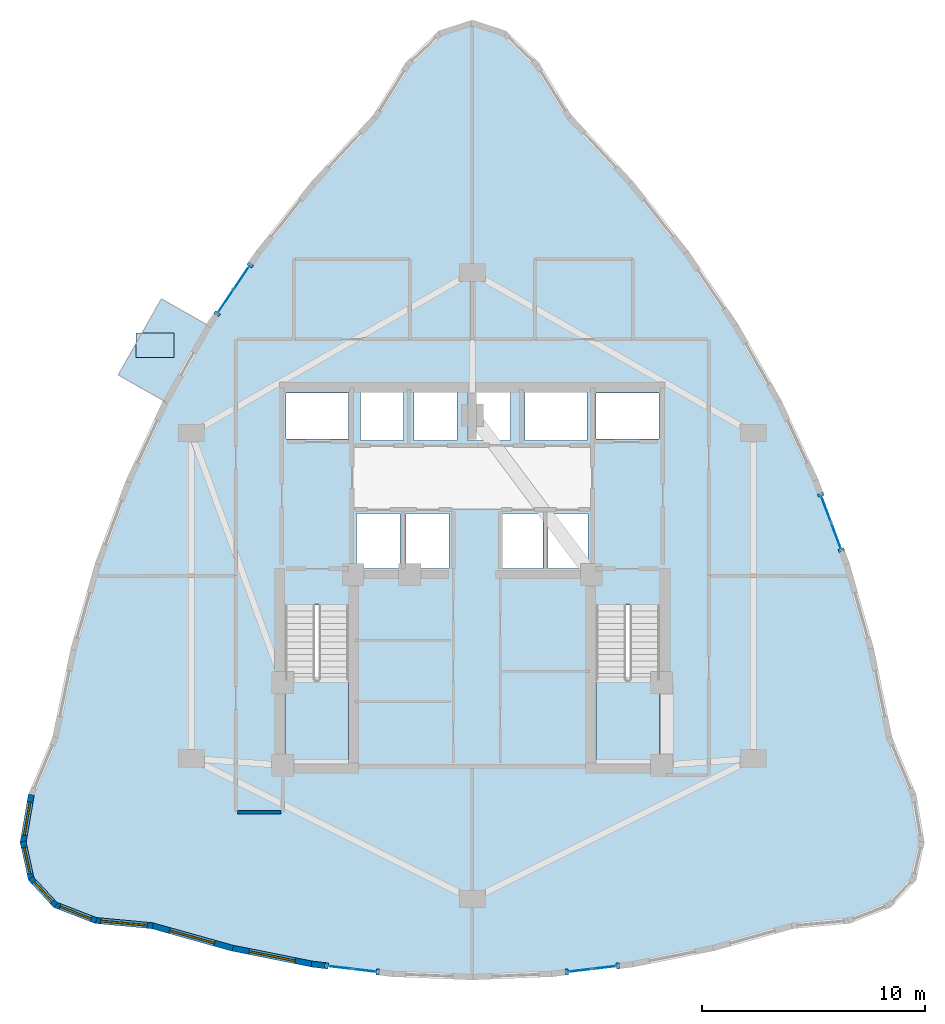
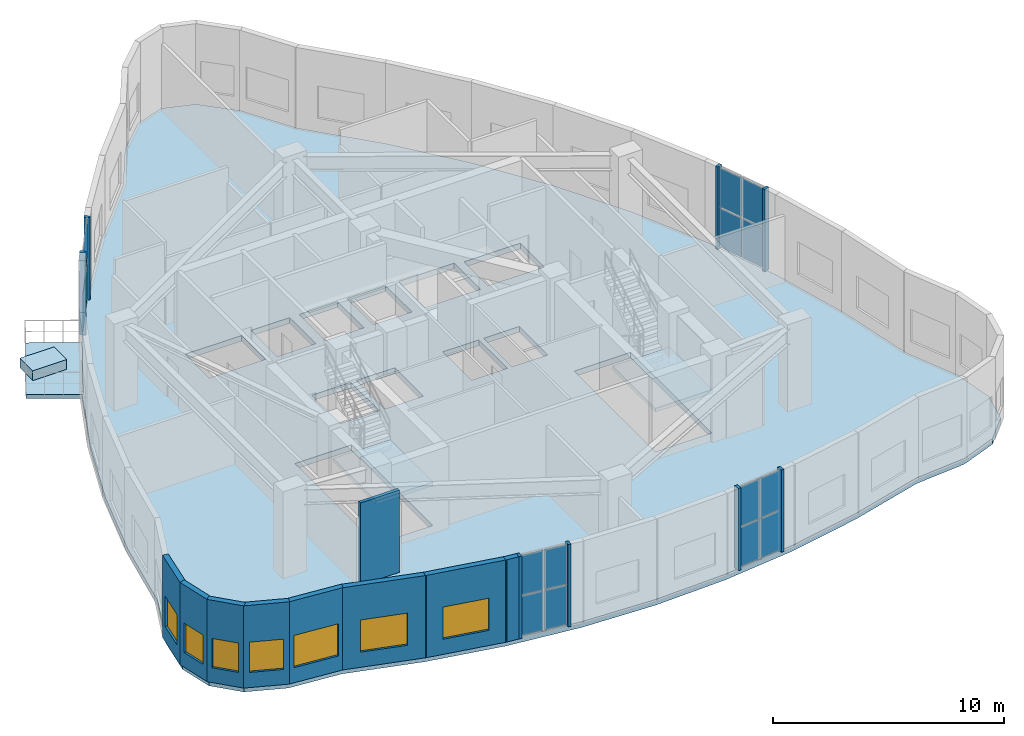
# One storey, part 9 of 14: 24 plates, 9 walls, 7 windows, 5 slabs, 7 openings, 6 elements without a shape of their own.
"""IFC4 building model written with IfcOpenShell, lengths in metres."""

import ifcopenshell
import ifcopenshell.guid

model = None  # the IFC model being written
_history = None  # IfcOwnerHistory: only IFC2X3 demands one
_inside = {}  # id of a spatial element -> (the spatial element, [elements in it])
_under = {}  # id of a project, library or spatial element -> (it, [spatial elements below it])
_declared = {}  # id of a project -> (the project, [libraries it declares])
_typed = {}  # id of a type object -> (the type object, [elements of that type])
_made_of = {}  # id of a material, layer set ... -> (it, [elements and type objects made of it])


def new_model(schema):
    """Start an empty IFC model of exactly this schema.

    Asked for "IFC4X3", IfcOpenShell would pick the latest addendum, in which some entities
    have other attributes; the version numbers below select the first issue.
    IFC2X3 requires an IfcOwnerHistory on every rooted entity: one is made here for all.
    """
    global model, _history
    if schema == "IFC4X3":
        model = ifcopenshell.file(schema_version=(4, 3, 0, 0))
    else:
        model = ifcopenshell.file(schema=schema)
    _inside.clear()
    _under.clear()
    _declared.clear()
    _typed.clear()
    _made_of.clear()
    _history = None
    if model.schema == "IFC2X3":
        org = make("IfcOrganization", Name="unknown")
        user = make(
            "IfcPersonAndOrganization",
            ThePerson=make("IfcPerson", FamilyName="unknown"),
            TheOrganization=org,
        )
        app = make(
            "IfcApplication",
            ApplicationDeveloper=org,
            Version="unknown",
            ApplicationFullName="unknown",
            ApplicationIdentifier="unknown",
        )
        _history = make(
            "IfcOwnerHistory",
            OwningUser=user,
            OwningApplication=app,
            ChangeAction="ADDED",
            CreationDate=0,
        )
    return model


def make(cls, **values):
    """One entity of the class cls with the attributes given. An attribute that is None is left unset."""
    return model.create_entity(
        cls, **{name: value for name, value in values.items() if value is not None}
    )


def rooted(cls, **values):
    """An entity with a GlobalId (a new one), such as an element, a storey or a relation."""
    return make(cls, GlobalId=ifcopenshell.guid.new(), OwnerHistory=_history, **values)


def si_unit(unit_type, name, prefix=None):
    """IfcSIUnit, for example si_unit("LENGTHUNIT", "METRE", prefix="MILLI")."""
    return make("IfcSIUnit", UnitType=unit_type, Prefix=prefix, Name=name)


def assignment(units):
    """IfcUnitAssignment: the units of a project."""
    return None if units is None else make("IfcUnitAssignment", Units=units)


def point(xyz):
    """IfcCartesianPoint."""
    return None if xyz is None else make("IfcCartesianPoint", Coordinates=xyz)


def direction(xyz):
    """IfcDirection."""
    return None if xyz is None else make("IfcDirection", DirectionRatios=xyz)


def frame(location, z_axis=None, x_axis=None):
    """IfcAxis2Placement3D, a coordinate frame: its origin and axes. An axis left out is left unset."""
    return make(
        "IfcAxis2Placement3D",
        Location=point(location),
        Axis=direction(z_axis),
        RefDirection=direction(x_axis),
    )


def frame_2d(location, x_axis=None):
    """IfcAxis2Placement2D, a coordinate frame in the plane: its origin and x axis."""
    return make(
        "IfcAxis2Placement2D", Location=point(location), RefDirection=direction(x_axis)
    )


def origin():
    """The frame at (0, 0, 0) with its axes left unset."""
    return frame((0.0, 0.0, 0.0))


def origin_2d():
    """The frame at (0, 0) in the plane with its x axis left unset."""
    return frame_2d((0.0, 0.0))


def place(relative_to, where):
    """IfcLocalPlacement: puts the frame where relative to a parent placement (None: the world)."""
    return make(
        "IfcLocalPlacement", PlacementRelTo=relative_to, RelativePlacement=where
    )


def context(
    kind, dimensions, precision=None, world=None, true_north=None, identifier=None
):
    """IfcGeometricRepresentationContext, for example the 3D "Model" context."""
    return make(
        "IfcGeometricRepresentationContext",
        ContextIdentifier=identifier,
        ContextType=kind,
        CoordinateSpaceDimension=dimensions,
        Precision=precision,
        WorldCoordinateSystem=world,
        TrueNorth=true_north,
    )


def subcontext(parent, identifier, kind, view, scale=None):
    """IfcGeometricRepresentationSubContext, for example "Body" below "Model"."""
    return make(
        "IfcGeometricRepresentationSubContext",
        ContextIdentifier=identifier,
        ContextType=kind,
        ParentContext=parent,
        TargetScale=scale,
        TargetView=view,
    )


def project(units=None, contexts=None):
    """IfcProject with its units and contexts."""
    return rooted(
        "IfcProject",
        Name="project",
        RepresentationContexts=contexts,
        UnitsInContext=assignment(units),
    )


def spatial(cls, under=None, at=None, **own):
    """A site, building, storey or space (cls), placed at a placement, below another one or the project."""
    s = rooted(cls, ObjectPlacement=at, **own)
    if under is not None:
        _under.setdefault(under.id(), (under, []))[1].append(s)
    return s


def polyline(points):
    """IfcPolyline through the points."""
    return make("IfcPolyline", Points=[point(p) for p in points])


def profile(cls, at=None, kind="AREA", **sizes):
    """A parametric profile (cls). Its sizes go by their IFC names, for example OverallWidth=200.0."""
    return make(cls, ProfileType=kind, Position=at, **sizes)


def rectangle(**sizes):
    """IfcRectangleProfileDef."""
    return profile("IfcRectangleProfileDef", **sizes)


def outline(outer, holes=None, kind="AREA"):
    """IfcArbitraryClosedProfileDef: a profile drawn as a closed curve; with holes, ...WithVoids."""
    if holes is None:
        return make("IfcArbitraryClosedProfileDef", ProfileType=kind, OuterCurve=outer)
    return make(
        "IfcArbitraryProfileDefWithVoids",
        ProfileType=kind,
        OuterCurve=outer,
        InnerCurves=holes,
    )


def extrude(swept, where, along, depth):
    """IfcExtrudedAreaSolid: the profile swept, set in the frame where, extruded along a direction by depth."""
    return make(
        "IfcExtrudedAreaSolid",
        SweptArea=swept,
        Position=where,
        ExtrudedDirection=direction(along),
        Depth=depth,
    )


def shape(context_of_items, identifier, shape_type, items):
    """IfcShapeRepresentation: the items that make up one representation, for example the "Body"."""
    return make(
        "IfcShapeRepresentation",
        ContextOfItems=context_of_items,
        RepresentationIdentifier=identifier,
        RepresentationType=shape_type,
        Items=items,
    )


def material(Name=None, Category=None):
    """IfcMaterial."""
    return make("IfcMaterial", Name=Name, Category=Category)


def layer(
    of_material, thickness, ventilated=None, Name=None, Category=None, Priority=None
):
    """IfcMaterialLayer: one layer of a wall or slab, of a material (None: an air gap)."""
    return make(
        "IfcMaterialLayer",
        Material=of_material,
        LayerThickness=thickness,
        IsVentilated=ventilated,
        Name=Name,
        Category=Category,
        Priority=Priority,
    )


def layer_set(layers, Name=None):
    """IfcMaterialLayerSet."""
    return make("IfcMaterialLayerSet", MaterialLayers=layers, LayerSetName=Name)


def made_of(thing, what):
    """Note that an element or type object is made of a material, layer set ...; save() writes the relation."""
    if what is not None:
        _made_of.setdefault(what.id(), (what, []))[1].append(thing)
    return thing


def type_object(cls, material=None, **own):
    """A type object (cls), such as IfcWallType, which elements share."""
    return made_of(rooted(cls, **own), material)


def element(
    cls,
    number,
    at=None,
    inside=None,
    cuts=None,
    type_object=None,
    material=None,
    context=None,
    identifier="Body",
    shape_type=None,
    held_by="IfcProductDefinitionShape",
    body=None,
    shapes=None,
    **own,
):
    """One element of the class cls, such as IfcWall. Its Tag is "e" and its number.

    at: its placement. inside: the storey or other place that contains it. cuts: it is an
    opening in that element (IfcRelVoidsElement). A single representation is given by context,
    identifier, shape_type and body (its items); several are given by shapes. held_by: the class
    of the entity that holds the representations. save() writes the other relations.
    """
    e = rooted(cls, Tag="e%d" % number, ObjectPlacement=at, **own)
    if body is not None:
        shapes = [shape(context, identifier, shape_type, body)]
    if shapes is not None:
        e.Representation = make(held_by, Representations=shapes)
    if inside is not None:
        _inside.setdefault(inside.id(), (inside, []))[1].append(e)
    if cuts is not None:
        rooted(
            "IfcRelVoidsElement", RelatingBuildingElement=cuts, RelatedOpeningElement=e
        )
    if type_object is not None:
        _typed.setdefault(type_object.id(), (type_object, []))[1].append(e)
    return made_of(e, material)


def fill(opening, filler):
    """IfcRelFillsElement: the door or window that sits in an opening."""
    return rooted(
        "IfcRelFillsElement",
        RelatingOpeningElement=opening,
        RelatedBuildingElement=filler,
    )


def aggregate(whole, parts):
    """IfcRelAggregates: a whole, such as a stair, and the parts it consists of."""
    return rooted("IfcRelAggregates", RelatingObject=whole, RelatedObjects=parts)


def save(model, path):
    """Write the relations noted so far, then the file.

    IfcRelAggregates (storeys below a building ...), IfcRelContainedInSpatialStructure (elements
    in a storey), IfcRelDefinesByType, IfcRelAssociatesMaterial and IfcRelDeclares: one each for
    every whole, place, type object, material and project.
    """
    for whole, parts in _under.values():
        aggregate(whole, parts)
    for where, things in _inside.values():
        rooted(
            "IfcRelContainedInSpatialStructure",
            RelatedElements=things,
            RelatingStructure=where,
        )
    for kind, things in _typed.values():
        rooted("IfcRelDefinesByType", RelatedObjects=things, RelatingType=kind)
    for what, things in _made_of.values():
        rooted("IfcRelAssociatesMaterial", RelatedObjects=things, RelatingMaterial=what)
    for by, libraries in _declared.values():
        rooted("IfcRelDeclares", RelatingContext=by, RelatedDefinitions=libraries)
    model.write(path)


model = new_model("IFC4")

# Units and contexts
model_context = context("Model", 3, precision=1e-05, world=origin(), true_north=direction((0.0, 1.0)))
body_context = subcontext(model_context, "Body", "Model", "MODEL_VIEW")
ifc_project = project(units=[si_unit("LENGTHUNIT", "METRE"), si_unit("AREAUNIT", "SQUARE_METRE"), si_unit("VOLUMEUNIT", "CUBIC_METRE"), si_unit("PLANEANGLEUNIT", "RADIAN"), si_unit("MASSUNIT", "GRAM", prefix="KILO")], contexts=[model_context])

# Site, building, storey
site_placement = place(None, origin())
site = spatial("IfcSite", under=ifc_project, at=site_placement, CompositionType="ELEMENT")
building_placement = place(site_placement, origin())
building = spatial("IfcBuilding", under=site, at=building_placement, Name="Miruveldt Soraemaru", CompositionType="ELEMENT")
storey_placement = place(building_placement, frame((0.0, 0.0, 189.800048828125)))
storey = spatial("IfcBuildingStorey", under=building, at=storey_placement, Name="L52", CompositionType="ELEMENT", Elevation=189.800048828125)

# Curtain wall, plates
ifc_material_1 = material(Name="Anodised aluminium EN AW-6063 T6", Category="aluminium")
ifc_layer_1 = layer(ifc_material_1, 0.179931640625, Name="Anodised aluminium EN AW-6063 T6", Category="aluminium")
ifc_layer_set_1 = layer_set([ifc_layer_1], Name="Anodised aluminium EN AW-6063 T6")
curtain_wall_type = type_object("IfcCurtainWallType", Name="CW-SYS-4", PredefinedType="USERDEFINED", material=ifc_layer_set_1)
curtain_wall_1_placement = place(storey_placement, origin())
curtain_wall_1 = element("IfcCurtainWall", 1, at=curtain_wall_1_placement, inside=storey, type_object=curtain_wall_type, Name="L52 Curtain Wall Bay 9", ObjectType="UNITISED GLAZING", PredefinedType="USERDEFINED")
ifc_material_2 = material(Name="Triple low-e insulated glazing", Category="glass")
ifc_layer_2 = layer(ifc_material_2, 0.028076171875, Name="Triple low-e insulated glazing", Category="glass")
ifc_layer_set_2 = layer_set([ifc_layer_2], Name="Triple low-e insulated glazing")
plate_type_1 = type_object("IfcPlateType", Name="CWP-4", PredefinedType="CURTAIN_PANEL", material=ifc_layer_set_2)
plate_1_placement = place(storey_placement, frame((33.656005859375, 57.375, 0.06494140625), z_axis=(0.0, 0.0, 1.0), x_axis=(-0.560859844476, -0.827910765031, 0.0)))
plate_1 = element("IfcPlate", 2, at=plate_1_placement, type_object=plate_type_1, Name="CW-4 panel 1.1", PredefinedType="CURTAIN_PANEL", context=body_context, shape_type="SweptSolid", body=[
    extrude(rectangle(XDim=1.2255859375, YDim=0.028076171875, at=origin_2d()), origin(), (0.0, 0.0, 1.0), 2.074951171875),
])
plate_2_placement = place(storey_placement, frame((33.656005859375, 57.375, 2.205078125), z_axis=(0.0, 0.0, 1.0), x_axis=(-0.560859844476, -0.827910765031, 0.0)))
plate_2 = element("IfcPlate", 3, at=plate_2_placement, type_object=plate_type_1, Name="CW-4 panel 1.2", PredefinedType="CURTAIN_PANEL", context=body_context, shape_type="SweptSolid", body=[
    extrude(rectangle(XDim=1.2255859375, YDim=0.028076171875, at=origin_2d()), origin(), (0.0, 0.0, 1.0), 2.074951171875),
])
plate_3_placement = place(storey_placement, frame((32.93212890625, 56.306640625, 0.06494140625), z_axis=(0.0, 0.0, 1.0), x_axis=(-0.560859844476, -0.827910765031, 0.0)))
plate_3 = element("IfcPlate", 4, at=plate_3_placement, type_object=plate_type_1, Name="CW-4 panel 2.1", PredefinedType="CURTAIN_PANEL", context=body_context, shape_type="SweptSolid", body=[
    extrude(rectangle(XDim=1.2255859375, YDim=0.028076171875, at=origin_2d()), origin(), (0.0, 0.0, 1.0), 2.074951171875),
])
plate_4_placement = place(storey_placement, frame((32.93212890625, 56.306640625, 2.205078125), z_axis=(0.0, 0.0, 1.0), x_axis=(-0.560859844476, -0.827910765031, 0.0)))
plate_4 = element("IfcPlate", 5, at=plate_4_placement, type_object=plate_type_1, Name="CW-4 panel 2.2", PredefinedType="CURTAIN_PANEL", context=body_context, shape_type="SweptSolid", body=[
    extrude(rectangle(XDim=1.2255859375, YDim=0.028076171875, at=origin_2d()), origin(), (0.0, 0.0, 1.0), 2.074951171875),
])
aggregate(curtain_wall_1, [plate_1, plate_2, plate_3, plate_4])

curtain_wall_2_placement = place(storey_placement, origin())
curtain_wall_2 = element("IfcCurtainWall", 6, at=curtain_wall_2_placement, inside=storey, type_object=curtain_wall_type, Name="L52 Curtain Wall Bay 23", ObjectType="UNITISED GLAZING", PredefinedType="USERDEFINED")
plate_5_placement = place(storey_placement, frame((38.055908203125, 26.432373046875, 0.06494140625), z_axis=(0.0, 0.0, 1.0), x_axis=(0.992873773488, -0.119170759501, 0.0)))
plate_5 = element("IfcPlate", 7, at=plate_5_placement, type_object=plate_type_1, Name="CW-4 panel 1.1", PredefinedType="CURTAIN_PANEL", context=body_context, shape_type="SweptSolid", body=[
    extrude(rectangle(XDim=1.060546875, YDim=0.028076171875, at=origin_2d()), origin(), (0.0, 0.0, 1.0), 2.074951171875),
])
plate_6_placement = place(storey_placement, frame((38.055908203125, 26.432373046875, 2.205078125), z_axis=(0.0, 0.0, 1.0), x_axis=(0.992873773488, -0.119170759501, 0.0)))
plate_6 = element("IfcPlate", 8, at=plate_6_placement, type_object=plate_type_1, Name="CW-4 panel 1.2", PredefinedType="CURTAIN_PANEL", context=body_context, shape_type="SweptSolid", body=[
    extrude(rectangle(XDim=1.060546875, YDim=0.028076171875, at=origin_2d()), origin(), (0.0, 0.0, 1.0), 2.074951171875),
])
plate_7_placement = place(storey_placement, frame((39.173583984375, 26.29833984375, 0.06494140625), z_axis=(0.0, 0.0, 1.0), x_axis=(0.992873773488, -0.119170759501, 0.0)))
plate_7 = element("IfcPlate", 9, at=plate_7_placement, type_object=plate_type_1, Name="CW-4 panel 2.1", PredefinedType="CURTAIN_PANEL", context=body_context, shape_type="SweptSolid", body=[
    extrude(rectangle(XDim=1.060546875, YDim=0.028076171875, at=origin_2d()), origin(), (0.0, 0.0, 1.0), 2.074951171875),
])
plate_8_placement = place(storey_placement, frame((39.173583984375, 26.29833984375, 2.205078125), z_axis=(0.0, 0.0, 1.0), x_axis=(0.992873773488, -0.119170759501, 0.0)))
plate_8 = element("IfcPlate", 10, at=plate_8_placement, type_object=plate_type_1, Name="CW-4 panel 2.2", PredefinedType="CURTAIN_PANEL", context=body_context, shape_type="SweptSolid", body=[
    extrude(rectangle(XDim=1.060546875, YDim=0.028076171875, at=origin_2d()), origin(), (0.0, 0.0, 1.0), 2.074951171875),
])
aggregate(curtain_wall_2, [plate_5, plate_6, plate_7, plate_8])

curtain_wall_3_placement = place(storey_placement, origin())
curtain_wall_3 = element("IfcCurtainWall", 11, at=curtain_wall_3_placement, inside=storey, type_object=curtain_wall_type, Name="L52 Curtain Wall Bay 26", ObjectType="UNITISED GLAZING", PredefinedType="USERDEFINED")
plate_9_placement = place(storey_placement, frame((48.82666015625, 26.29833984375, 0.06494140625), z_axis=(0.0, 0.0, 1.0), x_axis=(0.992873773488, 0.119170759501, 0.0)))
plate_9 = element("IfcPlate", 12, at=plate_9_placement, type_object=plate_type_1, Name="CW-4 panel 1.1", PredefinedType="CURTAIN_PANEL", context=body_context, shape_type="SweptSolid", body=[
    extrude(rectangle(XDim=1.060546875, YDim=0.028076171875, at=origin_2d()), origin(), (0.0, 0.0, 1.0), 2.074951171875),
])
plate_10_placement = place(storey_placement, frame((48.82666015625, 26.29833984375, 2.205078125), z_axis=(0.0, 0.0, 1.0), x_axis=(0.992873773488, 0.119170759501, 0.0)))
plate_10 = element("IfcPlate", 13, at=plate_10_placement, type_object=plate_type_1, Name="CW-4 panel 1.2", PredefinedType="CURTAIN_PANEL", context=body_context, shape_type="SweptSolid", body=[
    extrude(rectangle(XDim=1.060546875, YDim=0.028076171875, at=origin_2d()), origin(), (0.0, 0.0, 1.0), 2.074951171875),
])
plate_11_placement = place(storey_placement, frame((49.944091796875, 26.432373046875, 0.06494140625), z_axis=(0.0, 0.0, 1.0), x_axis=(0.992873773488, 0.119170759501, 0.0)))
plate_11 = element("IfcPlate", 14, at=plate_11_placement, type_object=plate_type_1, Name="CW-4 panel 2.1", PredefinedType="CURTAIN_PANEL", context=body_context, shape_type="SweptSolid", body=[
    extrude(rectangle(XDim=1.060546875, YDim=0.028076171875, at=origin_2d()), origin(), (0.0, 0.0, 1.0), 2.074951171875),
])
plate_12_placement = place(storey_placement, frame((49.944091796875, 26.432373046875, 2.205078125), z_axis=(0.0, 0.0, 1.0), x_axis=(0.992873773488, 0.119170759501, 0.0)))
plate_12 = element("IfcPlate", 15, at=plate_12_placement, type_object=plate_type_1, Name="CW-4 panel 2.2", PredefinedType="CURTAIN_PANEL", context=body_context, shape_type="SweptSolid", body=[
    extrude(rectangle(XDim=1.060546875, YDim=0.028076171875, at=origin_2d()), origin(), (0.0, 0.0, 1.0), 2.074951171875),
])
aggregate(curtain_wall_3, [plate_9, plate_10, plate_11, plate_12])

curtain_wall_4_placement = place(storey_placement, origin())
curtain_wall_4 = element("IfcCurtainWall", 16, at=curtain_wall_4_placement, inside=storey, type_object=curtain_wall_type, Name="L52 Curtain Wall Bay 37", ObjectType="UNITISED GLAZING", PredefinedType="USERDEFINED")
plate_13_placement = place(storey_placement, frame((60.31640625, 45.789306640625, 0.06494140625), z_axis=(0.0, 0.0, 1.0), x_axis=(-0.349051759571, 0.937103446339, 0.0)))
plate_13 = element("IfcPlate", 17, at=plate_13_placement, type_object=plate_type_1, Name="CW-4 panel 1.1", PredefinedType="CURTAIN_PANEL", context=body_context, shape_type="SweptSolid", body=[
    extrude(rectangle(XDim=1.2255859375, YDim=0.028076171875, at=origin_2d()), origin(), (0.0, 0.0, 1.0), 2.074951171875),
])
plate_14_placement = place(storey_placement, frame((60.31640625, 45.789306640625, 2.205078125), z_axis=(0.0, 0.0, 1.0), x_axis=(-0.349051759571, 0.937103446339, 0.0)))
plate_14 = element("IfcPlate", 18, at=plate_14_placement, type_object=plate_type_1, Name="CW-4 panel 1.2", PredefinedType="CURTAIN_PANEL", context=body_context, shape_type="SweptSolid", body=[
    extrude(rectangle(XDim=1.2255859375, YDim=0.028076171875, at=origin_2d()), origin(), (0.0, 0.0, 1.0), 2.074951171875),
])
plate_15_placement = place(storey_placement, frame((59.865966796875, 46.99853515625, 0.06494140625), z_axis=(0.0, 0.0, 1.0), x_axis=(-0.349051759571, 0.937103446339, 0.0)))
plate_15 = element("IfcPlate", 19, at=plate_15_placement, type_object=plate_type_1, Name="CW-4 panel 2.1", PredefinedType="CURTAIN_PANEL", context=body_context, shape_type="SweptSolid", body=[
    extrude(rectangle(XDim=1.2255859375, YDim=0.028076171875, at=origin_2d()), origin(), (0.0, 0.0, 1.0), 2.074951171875),
])
plate_16_placement = place(storey_placement, frame((59.865966796875, 46.99853515625, 2.205078125), z_axis=(0.0, 0.0, 1.0), x_axis=(-0.349051759571, 0.937103446339, 0.0)))
plate_16 = element("IfcPlate", 20, at=plate_16_placement, type_object=plate_type_1, Name="CW-4 panel 2.2", PredefinedType="CURTAIN_PANEL", context=body_context, shape_type="SweptSolid", body=[
    extrude(rectangle(XDim=1.2255859375, YDim=0.028076171875, at=origin_2d()), origin(), (0.0, 0.0, 1.0), 2.074951171875),
])
aggregate(curtain_wall_4, [plate_13, plate_14, plate_15, plate_16])

# Plates
ifc_layer_3 = layer(ifc_material_1, 0.030029296875, Name="Anodised aluminium EN AW-6063 T6", Category="aluminium")
ifc_layer_set_3 = layer_set([ifc_layer_3], Name="Anodised aluminium EN AW-6063 T6")
plate_type_2 = type_object("IfcPlateType", Name="PLT-JAMB-30", PredefinedType="SHEET", material=ifc_layer_set_3)
for number, where, z_axis, x_axis, name in (
    (21, (34.0361328125, 57.93603515625, 0.0), (0.0, 0.0, 1.0), (-0.560841311134, -0.827923319955, 0.0), "L52 Curtain Wall Jamb Closure Trim 9JL"),
    (22, (32.552001953125, 55.74560546875, 0.0), (0.0, 0.0, 1.0), (-0.560841311134, -0.827923319955, 0.0), "L52 Curtain Wall Jamb Closure Trim 9JR"),
    (23, (37.465087890625, 26.50341796875, 0.0), (0.0, 0.0, 1.0), (0.99287844669, -0.119131818163, 0.0), "L52 Curtain Wall Jamb Closure Trim 23JL"),
    (24, (39.764404296875, 26.227294921875, 0.0), (0.0, 0.0, 1.0), (0.99287844669, -0.119131818163, 0.0), "L52 Curtain Wall Jamb Closure Trim 23JR"),
    (25, (48.235595703125, 26.227294921875, 0.0), (0.0, 0.0, 1.0), (0.99287844669, 0.119131818163, 0.0), "L52 Curtain Wall Jamb Closure Trim 26JL"),
    (26, (50.53515625, 26.50341796875, 0.0), (0.0, 0.0, 1.0), (0.99287844669, 0.119131818163, 0.0), "L52 Curtain Wall Jamb Closure Trim 26JR"),
    (27, (60.552978515625, 45.154052734375, 0.0), (0.0, 0.0, 1.0), (-0.349046403698, 0.937105441274, 0.0), "L52 Curtain Wall Jamb Closure Trim 37JL"),
    (28, (59.62939453125, 47.6337890625, 0.0), (0.0, 0.0, 1.0), (-0.349046403698, 0.937105441274, 0.0), "L52 Curtain Wall Jamb Closure Trim 37JR"),
):
    element("IfcPlate", number, at=place(storey_placement, frame(where, z_axis=z_axis, x_axis=x_axis)), inside=storey, type_object=plate_type_2, Name=name, PredefinedType="SHEET", context=body_context, shape_type="SweptSolid", body=[
        extrude(rectangle(XDim=0.139892578125, YDim=0.27001953125, at=origin_2d()), origin(), (0.0, 0.0, 1.0), 4.344970703125),
    ])

# Stair, slab
ifc_material_3 = material(Name="Concrete C40/50 (40 MPa)", Category="concrete")
stair_type = type_object("IfcStairType", Name="STAIR-DL-460", PredefinedType="HALF_TURN_STAIR", material=ifc_material_3)
stair_1_placement = place(storey_placement, origin())
stair_1 = element("IfcStair", 29, at=stair_1_placement, inside=storey, type_object=stair_type, Name="L52 Protected Exit Stair ST-1", PredefinedType="HALF_TURN_STAIR")
ifc_layer_4 = layer(ifc_material_3, 0.199951171875, Name="Concrete C40/50 (40 MPa)", Category="concrete")
ifc_layer_set_4 = layer_set([ifc_layer_4], Name="Concrete C40/50 (40 MPa)")
slab_type_1 = type_object("IfcSlabType", Name="SLAB-LAND-200", PredefinedType="LANDING", material=ifc_layer_set_4)
slab_1_placement = place(storey_placement, frame((0.0, 0.0, 2.099853515625)))
slab_1 = element("IfcSlab", 30, at=slab_1_placement, type_object=slab_type_1, Name="ST-1 landing 1", PredefinedType="LANDING", context=body_context, shape_type="SweptSolid", body=[
    extrude(outline(polyline([(35.60009765625, 39.35791015625), (35.60009765625, 35.64990234375), (38.449951171875, 35.64990234375), (38.449951171875, 39.35791015625), (35.60009765625, 39.35791015625)])), origin(), (0.0, 0.0, 1.0), 0.2001953125),
])
aggregate(stair_1, [slab_1])

stair_2_placement = place(storey_placement, origin())
stair_2 = element("IfcStair", 31, at=stair_2_placement, inside=storey, type_object=stair_type, Name="L52 Protected Exit Stair ST-2", PredefinedType="HALF_TURN_STAIR")
slab_2_placement = place(storey_placement, frame((0.0, 0.0, 2.099853515625)))
slab_2 = element("IfcSlab", 32, at=slab_2_placement, type_object=slab_type_1, Name="ST-2 landing 1", PredefinedType="LANDING", context=body_context, shape_type="SweptSolid", body=[
    extrude(outline(polyline([(49.550048828125, 39.35791015625), (49.550048828125, 35.64990234375), (52.39990234375, 35.64990234375), (52.39990234375, 39.35791015625), (49.550048828125, 39.35791015625)])), origin(), (0.0, 0.0, 1.0), 0.2001953125),
])
aggregate(stair_2, [slab_2])

# Slabs
ifc_material_4 = material(Name="Precast concrete C45/55 (45 MPa)", Category="concrete")
ifc_layer_5 = layer(ifc_material_4, 0.179931640625, Name="Precast concrete C45/55 (45 MPa)", Category="concrete")
ifc_layer_set_5 = layer_set([ifc_layer_5], Name="Precast concrete C45/55 (45 MPa)")
slab_type_2 = type_object("IfcSlabType", Name="SLAB-PLTR-180", PredefinedType="USERDEFINED", material=ifc_layer_set_5)
slab_3_placement = place(storey_placement, origin())
element("IfcSlab", 33, at=slab_3_placement, inside=storey, type_object=slab_type_2, Name="L52 Sky Garden PLANTER Bed", ObjectType="PLANTER", PredefinedType="USERDEFINED", context=body_context, shape_type="SweptSolid", body=[
    extrude(outline(polyline([(28.9140625, 53.779052734375), (30.614013671875, 53.779052734375), (30.614013671875, 54.87890625), (28.9140625, 54.87890625), (28.9140625, 53.779052734375)])), origin(), (0.0, 0.0, 1.0), 0.52001953125),
])
ifc_layer_6 = layer(ifc_material_3, 0.300048828125, Name="Concrete C40/50 (40 MPa)", Category="concrete")
ifc_layer_set_6 = layer_set([ifc_layer_6], Name="Concrete C40/50 (40 MPa)")
slab_type_3 = type_object("IfcSlabType", Name="SLAB-PODM-300", PredefinedType="FLOOR", material=ifc_layer_set_6)
slab_4_placement = place(storey_placement, frame((0.0, 0.0, -0.300048828125)))
element("IfcSlab", 34, at=slab_4_placement, inside=storey, type_object=slab_type_3, Name="L52 Structural Floor Slab", PredefinedType="FLOOR", context=body_context, shape_type="SweptSolid", body=[
    extrude(outline(polyline([(51.10791015625, 61.59765625), (53.599365234375, 58.474365234375), (55.8125, 55.20751953125), (57.746826171875, 51.796875), (59.402587890625, 48.24267578125), (60.77978515625, 44.544921875), (61.87841796875, 40.70361328125), (62.698486328125, 36.71875), (63.782958984375, 34.147705078125), (64.14453125, 32.0439453125), (63.782958984375, 30.40771484375), (62.698486328125, 29.239013671875), (60.89111328125, 28.53759765625), (58.36083984375, 28.303955078125), (54.7705078125, 27.298583984375), (51.180419921875, 26.580810546875), (47.590087890625, 26.14990234375), (44.0, 26.00634765625), (40.409912109375, 26.14990234375), (36.819580078125, 26.580810546875), (33.2294921875, 27.298583984375), (29.63916015625, 28.303955078125), (27.10888671875, 28.53759765625), (25.301513671875, 29.239013671875), (24.217041015625, 30.40771484375), (23.85546875, 32.0439453125), (24.217041015625, 34.147705078125), (25.301513671875, 36.71875), (26.12158203125, 40.70361328125), (27.22021484375, 44.544921875), (28.597412109375, 48.24267578125), (30.253173828125, 51.796875), (32.1875, 55.20751953125), (34.400634765625, 58.474365234375), (36.89208984375, 61.59765625), (39.662353515625, 64.5771484375), (41.108154296875, 66.914794921875), (42.55419921875, 68.317138671875), (44.0, 68.78466796875), (45.44580078125, 68.317138671875), (46.891845703125, 66.914794921875), (48.337646484375, 64.5771484375), (51.10791015625, 61.59765625)]), holes=[polyline([(35.614990234375, 35.6650390625), (38.43505859375, 35.6650390625), (38.43505859375, 42.68505859375), (35.614990234375, 42.68505859375), (35.614990234375, 35.6650390625)]), polyline([(38.81494140625, 44.31494140625), (40.764892578125, 44.31494140625), (40.764892578125, 46.784912109375), (38.81494140625, 46.784912109375), (38.81494140625, 44.31494140625)]), polyline([(41.034912109375, 44.31494140625), (42.965087890625, 44.31494140625), (42.965087890625, 46.784912109375), (41.034912109375, 46.784912109375), (41.034912109375, 44.31494140625)]), polyline([(38.445068359375, 50.135009765625), (38.445068359375, 52.205078125), (35.635009765625, 52.205078125), (35.635009765625, 50.135009765625), (38.445068359375, 50.135009765625)]), polyline([(38.985107421875, 50.06494140625), (40.9150390625, 50.06494140625), (40.9150390625, 52.3349609375), (38.985107421875, 52.3349609375), (38.985107421875, 50.06494140625)]), polyline([(41.385009765625, 50.06494140625), (43.31494140625, 50.06494140625), (43.31494140625, 52.3349609375), (41.385009765625, 52.3349609375), (41.385009765625, 50.06494140625)]), polyline([(49.56494140625, 35.6650390625), (52.385009765625, 35.6650390625), (52.385009765625, 42.68505859375), (49.56494140625, 42.68505859375), (49.56494140625, 35.6650390625)]), polyline([(45.364990234375, 44.31494140625), (47.1650390625, 44.31494140625), (47.1650390625, 46.784912109375), (45.364990234375, 46.784912109375), (45.364990234375, 44.31494140625)]), polyline([(47.39501953125, 44.31494140625), (49.18505859375, 44.31494140625), (49.18505859375, 46.784912109375), (47.39501953125, 46.784912109375), (47.39501953125, 44.31494140625)]), polyline([(52.364990234375, 50.135009765625), (52.364990234375, 52.205078125), (49.554931640625, 52.205078125), (49.554931640625, 50.135009765625), (52.364990234375, 50.135009765625)]), polyline([(43.784912109375, 50.06494140625), (45.715087890625, 50.06494140625), (45.715087890625, 52.3349609375), (43.784912109375, 52.3349609375), (43.784912109375, 50.06494140625)]), polyline([(46.364990234375, 50.06494140625), (49.135009765625, 50.06494140625), (49.135009765625, 52.3349609375), (46.364990234375, 52.3349609375), (46.364990234375, 50.06494140625)])]), origin(), (0.0, 0.0, 1.0), 0.300048828125),
])
ifc_layer_7 = layer(ifc_material_3, 0.2099609375, Name="Concrete C40/50 (40 MPa)", Category="concrete")
ifc_layer_set_7 = layer_set([ifc_layer_7], Name="Concrete C40/50 (40 MPa)")
slab_type_4 = type_object("IfcSlabType", Name="SLAB-TERR-210", PredefinedType="ROOF", material=ifc_layer_set_7)
slab_5_placement = place(storey_placement, frame((0.0, 0.0, -0.2099609375)))
element("IfcSlab", 35, at=slab_5_placement, inside=storey, type_object=slab_type_4, Name="L52 Sky Garden Terrace Deck", PredefinedType="ROOF", context=body_context, shape_type="SweptSolid", body=[
    extrude(outline(polyline([(32.205078125, 55.197509765625), (30.2705078125, 51.787109375), (28.1220703125, 53.005615234375), (30.056396484375, 56.416015625), (32.205078125, 55.197509765625)])), origin(), (0.0, 0.0, 1.0), 0.2099609375),
])

# Wall, opening, window
ifc_layer_8 = layer(ifc_material_4, 0.27001953125, Name="Precast concrete C45/55 (45 MPa)", Category="concrete")
ifc_layer_set_8 = layer_set([ifc_layer_8], Name="Precast concrete C45/55 (45 MPa)")
wall_type_1 = type_object("IfcWallType", Name="WALL-EXT-PC270", PredefinedType="SOLIDWALL", material=ifc_layer_set_8)
wall_1_placement = place(storey_placement, frame((24.222900390625, 34.18212890625, 0.0), z_axis=(0.0, 0.0, 1.0), x_axis=(-0.169335748739, -0.985558422519, 0.0)))
wall_1 = element("IfcWall", 36, at=wall_1_placement, inside=storey, type_object=wall_type_1, Name="L52 Precast Concrete Facade Wall 16", PredefinedType="SOLIDWALL", context=body_context, shape_type="SweptSolid", body=[
    extrude(rectangle(XDim=2.204345703125, YDim=0.27001953125, at=frame_2d((1.10205078125, 0.0))), origin(), (0.0, 0.0, 1.0), 4.344970703125),
])
opening_1_placement = place(wall_1_placement, frame((0.35302734375, 0.0, 0.800048828125)))
opening_1 = element("IfcOpeningElement", 37, at=opening_1_placement, cuts=wall_1, Name="Opening WN-3", PredefinedType="OPENING", context=body_context, shape_type="SweptSolid", body=[
    extrude(rectangle(XDim=1.5, YDim=1.60009765625, at=frame_2d((0.75, 0.800048828125))), frame((0.0, 0.14501953125, 0.0), z_axis=(0.0, -1.0, 0.0), x_axis=(1.0, 0.0, 0.0)), (0.0, 0.0, 1.0), 0.2900390625),
])
window_type_1 = type_object("IfcWindowType", Name="WIN-PUNCH-1500x1600", PartitioningType="SINGLE_PANEL", PredefinedType="WINDOW", material=ifc_material_2)
window_1_placement = place(opening_1_placement, origin())
window_1 = element("IfcWindow", 38, at=window_1_placement, inside=storey, type_object=window_type_1, Name="L52 Punched Triple-Glazed Window 16.1", OverallHeight=1.60009765625, OverallWidth=1.5, PartitioningType="SINGLE_PANEL", PredefinedType="WINDOW", context=body_context, shape_type="SweptSolid", body=[
    extrude(rectangle(XDim=1.5, YDim=1.60009765625, at=frame_2d((0.75, 0.800048828125))), frame((0.0, 0.030029296875, 0.0), z_axis=(0.0, -1.0, 0.0), x_axis=(1.0, 0.0, 0.0)), (0.0, 0.0, 1.0), 0.06005859375),
])
fill(opening_1, window_1)

wall_2_placement = place(storey_placement, frame((23.847900390625, 32.078125, 0.0), z_axis=(0.0, 0.0, 1.0), x_axis=(0.215790112764, -0.976439771432, 0.0)))
wall_2 = element("IfcWall", 39, at=wall_2_placement, inside=storey, type_object=wall_type_1, Name="L52 Precast Concrete Facade Wall 17", PredefinedType="SOLIDWALL", context=body_context, shape_type="SweptSolid", body=[
    extrude(rectangle(XDim=1.74560546875, YDim=0.27001953125, at=frame_2d((0.872802734375, 0.0))), origin(), (0.0, 0.0, 1.0), 4.344970703125),
])
opening_2_placement = place(wall_2_placement, frame((0.27294921875, 0.0, 0.780029296875)))
opening_2 = element("IfcOpeningElement", 40, at=opening_2_placement, cuts=wall_2, Name="Opening WN-4", PredefinedType="OPENING", context=body_context, shape_type="SweptSolid", body=[
    extrude(rectangle(XDim=1.199951171875, YDim=1.550048828125, at=frame_2d((0.60009765625, 0.77490234375))), frame((0.0, 0.14501953125, 0.0), z_axis=(0.0, -1.0, 0.0), x_axis=(1.0, 0.0, 0.0)), (0.0, 0.0, 1.0), 0.2900390625),
])
window_type_2 = type_object("IfcWindowType", Name="WIN-PUNCH-1200x1550", PartitioningType="SINGLE_PANEL", PredefinedType="WINDOW", material=ifc_material_2)
window_2_placement = place(opening_2_placement, origin())
window_2 = element("IfcWindow", 41, at=window_2_placement, inside=storey, type_object=window_type_2, Name="L52 Punched Triple-Glazed Window 17.1", OverallHeight=1.550048828125, OverallWidth=1.199951171875, PartitioningType="SINGLE_PANEL", PredefinedType="WINDOW", context=body_context, shape_type="SweptSolid", body=[
    extrude(rectangle(XDim=1.199951171875, YDim=1.550048828125, at=frame_2d((0.60009765625, 0.77490234375))), frame((0.0, 0.030029296875, 0.0), z_axis=(0.0, -1.0, 0.0), x_axis=(1.0, 0.0, 0.0)), (0.0, 0.0, 1.0), 0.06005859375),
])
fill(opening_2, window_2)

wall_3_placement = place(storey_placement, frame((24.193115234375, 30.433349609375, 0.0), z_axis=(0.0, 0.0, 1.0), x_axis=(0.680209121553, -0.733018110934, 0.0)))
wall_3 = element("IfcWall", 42, at=wall_3_placement, inside=storey, type_object=wall_type_1, Name="L52 Precast Concrete Facade Wall 18", PredefinedType="SOLIDWALL", context=body_context, shape_type="SweptSolid", body=[
    extrude(rectangle(XDim=1.664306640625, YDim=0.27001953125, at=frame_2d((0.83203125, 0.0))), origin(), (0.0, 0.0, 1.0), 4.344970703125),
])
opening_3_placement = place(wall_3_placement, frame((0.23193359375, 0.0, 0.780029296875)))
opening_3 = element("IfcOpeningElement", 43, at=opening_3_placement, cuts=wall_3, Name="Opening WN-4", PredefinedType="OPENING", context=body_context, shape_type="SweptSolid", body=[
    extrude(rectangle(XDim=1.199951171875, YDim=1.550048828125, at=frame_2d((0.60009765625, 0.77490234375))), frame((0.0, 0.14501953125, 0.0), z_axis=(0.0, -1.0, 0.0), x_axis=(1.0, 0.0, 0.0)), (0.0, 0.0, 1.0), 0.2900390625),
])
window_3_placement = place(opening_3_placement, origin())
window_3 = element("IfcWindow", 44, at=window_3_placement, inside=storey, type_object=window_type_2, Name="L52 Punched Triple-Glazed Window 18.1", OverallHeight=1.550048828125, OverallWidth=1.199951171875, PartitioningType="SINGLE_PANEL", PredefinedType="WINDOW", context=body_context, shape_type="SweptSolid", body=[
    extrude(rectangle(XDim=1.199951171875, YDim=1.550048828125, at=frame_2d((0.60009765625, 0.77490234375))), frame((0.0, 0.030029296875, 0.0), z_axis=(0.0, -1.0, 0.0), x_axis=(1.0, 0.0, 0.0)), (0.0, 0.0, 1.0), 0.06005859375),
])
fill(opening_3, window_3)

wall_4_placement = place(storey_placement, frame((25.268798828125, 29.251708984375, 0.0), z_axis=(0.0, 0.0, 1.0), x_axis=(0.932241694323, -0.361836183051, 0.0)))
wall_4 = element("IfcWall", 45, at=wall_4_placement, inside=storey, type_object=wall_type_1, Name="L52 Precast Concrete Facade Wall 19", PredefinedType="SOLIDWALL", context=body_context, shape_type="SweptSolid", body=[
    extrude(rectangle(XDim=2.008544921875, YDim=0.27001953125, at=frame_2d((1.00439453125, 0.0))), origin(), (0.0, 0.0, 1.0), 4.344970703125),
])
opening_4_placement = place(wall_4_placement, frame((0.25390625, 0.0, 0.800048828125)))
opening_4 = element("IfcOpeningElement", 46, at=opening_4_placement, cuts=wall_4, Name="Opening WN-3", PredefinedType="OPENING", context=body_context, shape_type="SweptSolid", body=[
    extrude(rectangle(XDim=1.5, YDim=1.60009765625, at=frame_2d((0.75, 0.800048828125))), frame((0.0, 0.14501953125, 0.0), z_axis=(0.0, -1.0, 0.0), x_axis=(1.0, 0.0, 0.0)), (0.0, 0.0, 1.0), 0.2900390625),
])
window_4_placement = place(opening_4_placement, origin())
window_4 = element("IfcWindow", 47, at=window_4_placement, inside=storey, type_object=window_type_1, Name="L52 Punched Triple-Glazed Window 19.1", OverallHeight=1.60009765625, OverallWidth=1.5, PartitioningType="SINGLE_PANEL", PredefinedType="WINDOW", context=body_context, shape_type="SweptSolid", body=[
    extrude(rectangle(XDim=1.5, YDim=1.60009765625, at=frame_2d((0.75, 0.800048828125))), frame((0.0, 0.030029296875, 0.0), z_axis=(0.0, -1.0, 0.0), x_axis=(1.0, 0.0, 0.0)), (0.0, 0.0, 1.0), 0.06005859375),
])
fill(opening_4, window_4)

wall_5_placement = place(storey_placement, frame((27.073974609375, 28.541015625, 0.0), z_axis=(0.0, 0.0, 1.0), x_axis=(0.995758775915, -0.092002500986, 0.0)))
wall_5 = element("IfcWall", 48, at=wall_5_placement, inside=storey, type_object=wall_type_1, Name="L52 Precast Concrete Facade Wall 20", PredefinedType="SOLIDWALL", context=body_context, shape_type="SweptSolid", body=[
    extrude(rectangle(XDim=2.611083984375, YDim=0.27001953125, at=frame_2d((1.3056640625, 0.0))), origin(), (0.0, 0.0, 1.0), 4.344970703125),
])
opening_5_placement = place(wall_5_placement, frame((0.256103515625, 0.0, 0.800048828125)))
opening_5 = element("IfcOpeningElement", 49, at=opening_5_placement, cuts=wall_5, Name="Opening WN-1", PredefinedType="OPENING", context=body_context, shape_type="SweptSolid", body=[
    extrude(rectangle(XDim=2.10009765625, YDim=1.699951171875, at=frame_2d((1.050048828125, 0.85009765625))), frame((0.0, 0.14501953125, 0.0), z_axis=(0.0, -1.0, 0.0), x_axis=(1.0, 0.0, 0.0)), (0.0, 0.0, 1.0), 0.2900390625),
])
window_type_3 = type_object("IfcWindowType", Name="WIN-PUNCH-2100x1700", PartitioningType="SINGLE_PANEL", PredefinedType="WINDOW", material=ifc_material_2)
window_5_placement = place(opening_5_placement, origin())
window_5 = element("IfcWindow", 50, at=window_5_placement, inside=storey, type_object=window_type_3, Name="L52 Punched Triple-Glazed Window 20.1", OverallHeight=1.699951171875, OverallWidth=2.10009765625, PartitioningType="SINGLE_PANEL", PredefinedType="WINDOW", context=body_context, shape_type="SweptSolid", body=[
    extrude(rectangle(XDim=2.10009765625, YDim=1.699951171875, at=frame_2d((1.050048828125, 0.85009765625))), frame((0.0, 0.030029296875, 0.0), z_axis=(0.0, -1.0, 0.0), x_axis=(1.0, 0.0, 0.0)), (0.0, 0.0, 1.0), 0.06005859375),
])
fill(opening_5, window_5)

wall_6_placement = place(storey_placement, frame((29.60546875, 28.3134765625, 0.0), z_axis=(0.0, 0.0, 1.0), x_axis=(0.96296335217, -0.269632309595, 0.0)))
wall_6 = element("IfcWall", 51, at=wall_6_placement, inside=storey, type_object=wall_type_1, Name="L52 Precast Concrete Facade Wall 21", PredefinedType="SOLIDWALL", context=body_context, shape_type="SweptSolid", body=[
    extrude(rectangle(XDim=3.79833984375, YDim=0.27001953125, at=frame_2d((1.899169921875, 0.0))), origin(), (0.0, 0.0, 1.0), 4.344970703125),
])
opening_6_placement = place(wall_6_placement, frame((0.84912109375, 0.0, 0.800048828125)))
opening_6 = element("IfcOpeningElement", 52, at=opening_6_placement, cuts=wall_6, Name="Opening WN-1", PredefinedType="OPENING", context=body_context, shape_type="SweptSolid", body=[
    extrude(rectangle(XDim=2.10009765625, YDim=1.699951171875, at=frame_2d((1.050048828125, 0.85009765625))), frame((0.0, 0.14501953125, 0.0), z_axis=(0.0, -1.0, 0.0), x_axis=(1.0, 0.0, 0.0)), (0.0, 0.0, 1.0), 0.2900390625),
])
window_6_placement = place(opening_6_placement, origin())
window_6 = element("IfcWindow", 53, at=window_6_placement, inside=storey, type_object=window_type_3, Name="L52 Punched Triple-Glazed Window 21.1", OverallHeight=1.699951171875, OverallWidth=2.10009765625, PartitioningType="SINGLE_PANEL", PredefinedType="WINDOW", context=body_context, shape_type="SweptSolid", body=[
    extrude(rectangle(XDim=2.10009765625, YDim=1.699951171875, at=frame_2d((1.050048828125, 0.85009765625))), frame((0.0, 0.030029296875, 0.0), z_axis=(0.0, -1.0, 0.0), x_axis=(1.0, 0.0, 0.0)), (0.0, 0.0, 1.0), 0.06005859375),
])
fill(opening_6, window_6)

wall_7_placement = place(storey_placement, frame((33.195068359375, 27.3056640625, 0.0), z_axis=(0.0, 0.0, 1.0), x_axis=(0.980573125551, -0.196153882058, 0.0)))
wall_7 = element("IfcWall", 54, at=wall_7_placement, inside=storey, type_object=wall_type_1, Name="L52 Precast Concrete Facade Wall 22", PredefinedType="SOLIDWALL", context=body_context, shape_type="SweptSolid", body=[
    extrude(rectangle(XDim=3.7314453125, YDim=0.27001953125, at=frame_2d((1.86572265625, 0.0))), origin(), (0.0, 0.0, 1.0), 4.344970703125),
])
opening_7_placement = place(wall_7_placement, frame((0.81591796875, 0.0, 0.800048828125)))
opening_7 = element("IfcOpeningElement", 55, at=opening_7_placement, cuts=wall_7, Name="Opening WN-1", PredefinedType="OPENING", context=body_context, shape_type="SweptSolid", body=[
    extrude(rectangle(XDim=2.10009765625, YDim=1.699951171875, at=frame_2d((1.050048828125, 0.85009765625))), frame((0.0, 0.14501953125, 0.0), z_axis=(0.0, -1.0, 0.0), x_axis=(1.0, 0.0, 0.0)), (0.0, 0.0, 1.0), 0.2900390625),
])
window_7_placement = place(opening_7_placement, origin())
window_7 = element("IfcWindow", 56, at=window_7_placement, inside=storey, type_object=window_type_3, Name="L52 Punched Triple-Glazed Window 22.1", OverallHeight=1.699951171875, OverallWidth=2.10009765625, PartitioningType="SINGLE_PANEL", PredefinedType="WINDOW", context=body_context, shape_type="SweptSolid", body=[
    extrude(rectangle(XDim=2.10009765625, YDim=1.699951171875, at=frame_2d((1.050048828125, 0.85009765625))), frame((0.0, 0.030029296875, 0.0), z_axis=(0.0, -1.0, 0.0), x_axis=(1.0, 0.0, 0.0)), (0.0, 0.0, 1.0), 0.06005859375),
])
fill(opening_7, window_7)

# Walls
wall_8_placement = place(storey_placement, frame((36.784912109375, 26.5849609375, 0.0), z_axis=(0.0, 0.0, 1.0), x_axis=(0.992878477097, -0.119131564744, 0.0)))
element("IfcWall", 57, at=wall_8_placement, inside=storey, type_object=wall_type_1, Name="L52 Precast Pier Left 23", PredefinedType="SOLIDWALL", context=body_context, shape_type="SweptSolid", body=[
    extrude(rectangle(XDim=0.705078125, YDim=0.27001953125, at=frame_2d((0.3525390625, 0.0))), origin(), (0.0, 0.0, 1.0), 4.344970703125),
])
ifc_layer_9 = layer(ifc_material_3, 0.159912109375, Name="Concrete C40/50 (40 MPa)", Category="concrete")
ifc_layer_set_9 = layer_set([ifc_layer_9], Name="Concrete C40/50 (40 MPa)")
wall_type_2 = type_object("IfcWallType", Name="WALL-INT-RC160", PredefinedType="SOLIDWALL", material=ifc_layer_set_9)
wall_9_placement = place(storey_placement, frame((33.47998046875, 33.39990234375, 0.0), z_axis=(0.0, 0.0, 1.0), x_axis=(1.0, 0.0, 0.0)))
element("IfcWall", 58, at=wall_9_placement, inside=storey, type_object=wall_type_2, Name="L52 Partition Wall 4", PredefinedType="SOLIDWALL", context=body_context, shape_type="SweptSolid", body=[
    extrude(rectangle(XDim=1.93994140625, YDim=0.159912109375, at=frame_2d((0.969970703125, 0.0))), origin(), (0.0, 0.0, 1.0), 4.344970703125),
])

save(model, "model.ifc")
